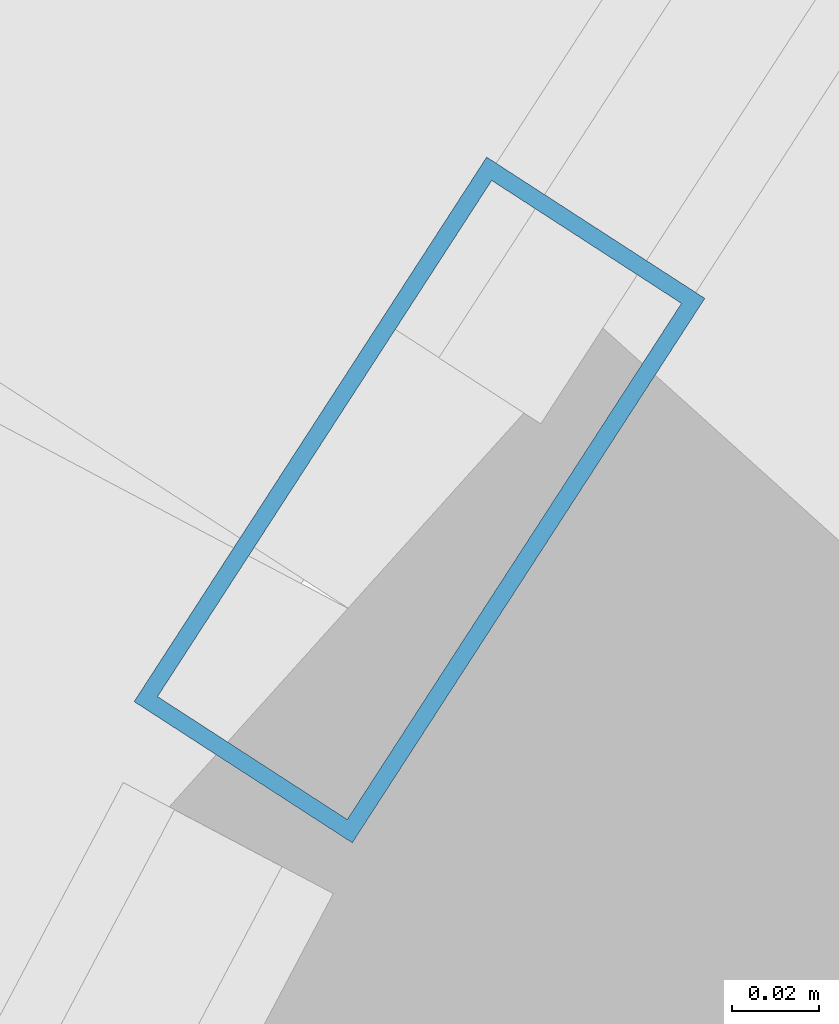
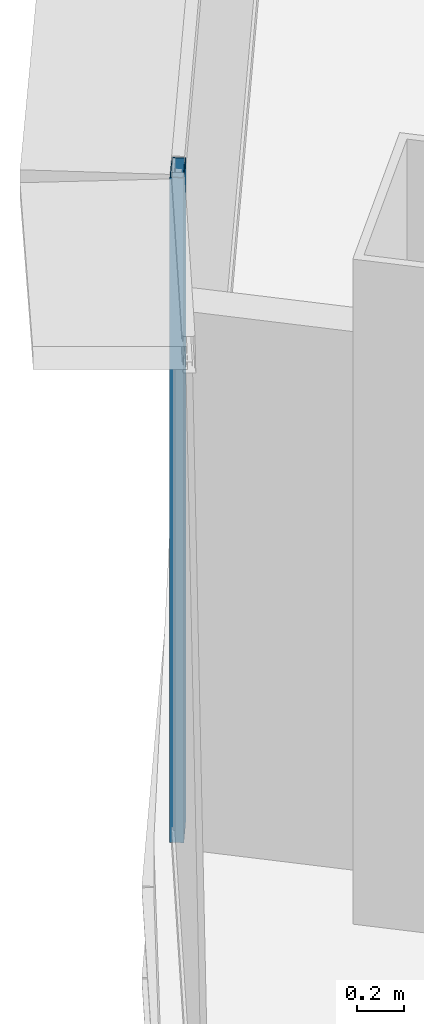
# One storey, part 18 of 42: 1 member, 1 element without a shape of its own.
"""IFC4 building model written with IfcOpenShell, lengths in metres."""

from ifc_helpers import new_model, si_unit, direction, frame, origin, origin_2d, place, context, subcontext, project, spatial, hollow_rectangle, extrude, source, transform, mapped, material, layer, layer_set, material_profile, profile_set, type_object, element, aggregate, save


model = new_model("IFC4")

# Units and contexts
model_context = context("Model", 3, precision=1e-05, world=origin(), true_north=direction((0.0, 1.0)))
body_context = subcontext(model_context, "Body", "Model", "MODEL_VIEW")
ifc_project = project(units=[si_unit("LENGTHUNIT", "METRE"), si_unit("AREAUNIT", "SQUARE_METRE"), si_unit("VOLUMEUNIT", "CUBIC_METRE"), si_unit("PLANEANGLEUNIT", "RADIAN"), si_unit("MASSUNIT", "GRAM", prefix="KILO"), si_unit("THERMODYNAMICTEMPERATUREUNIT", "KELVIN"), si_unit("POWERUNIT", "WATT")], contexts=[model_context])

# Site, building, storey
site_placement = place(None, origin())
site = spatial("IfcSite", under=ifc_project, at=site_placement, CompositionType="ELEMENT")
building_placement = place(site_placement, origin())
building = spatial("IfcBuilding", under=site, at=building_placement, Name="Yunzhuo Pagoda Commons", CompositionType="ELEMENT")
storey_placement = place(building_placement, frame((0.0, 0.0, 151.909912109375)))
storey = spatial("IfcBuildingStorey", under=building, at=storey_placement, Name="L38", CompositionType="ELEMENT", Elevation=151.909912109375)

# Curtain wall, member
ifc_material = material(Name="Anodized aluminium 6063-T6", Category="aluminium")
ifc_layer = layer(ifc_material, 0.14990234375)
ifc_layer_set = layer_set([ifc_layer], Name="Anodized aluminium 6063-T6")
curtain_wall_type = type_object("IfcCurtainWallType", Name="CW-MID Mid-Zone Ribbon Curtain Wall", PredefinedType="NOTDEFINED", material=ifc_layer_set)
curtain_wall_placement = place(storey_placement, origin())
curtain_wall = element("IfcCurtainWall", 1, at=curtain_wall_placement, inside=storey, type_object=curtain_wall_type, Name="L38 curtain wall CW-L38-F3B2", PredefinedType="NOTDEFINED")
ifc_material_profile = material_profile(ifc_material, hollow_rectangle(XDim=0.06005859375, YDim=0.14990234375, WallThickness=0.00390625, at=origin_2d()), Name="Anodized aluminium 6063-T6")
ifc_profile_set = profile_set([ifc_material_profile], Name="Anodized aluminium 6063-T6")
member_type = type_object("IfcMemberType", Name="CW-MID-M Mullion RHS 150x60x4", PredefinedType="MULLION", material=ifc_profile_set)
shared_shape = source(origin(), body_context, "Body", "SweptSolid", [
    extrude(hollow_rectangle(XDim=0.06005859375, YDim=0.14990234375, WallThickness=0.00390625, at=origin_2d()), origin(), (0.0, 0.0, 1.0), 3.420166015625),
])
member_placement = place(storey_placement, frame((23.2607421875, 56.01513671875, 0.0), z_axis=(0.0, 0.0, 1.0), x_axis=(0.839392571637, -0.543525630197, 0.0)))
member = element("IfcMember", 2, at=member_placement, type_object=member_type, Name="CW mullion 2", PredefinedType="MULLION", context=body_context, shape_type="MappedRepresentation", body=[
    mapped(shared_shape, transform((0.0, 0.0, 0.0), scale=1.0)),
])
aggregate(curtain_wall, [member])

save(model, "model.ifc")
